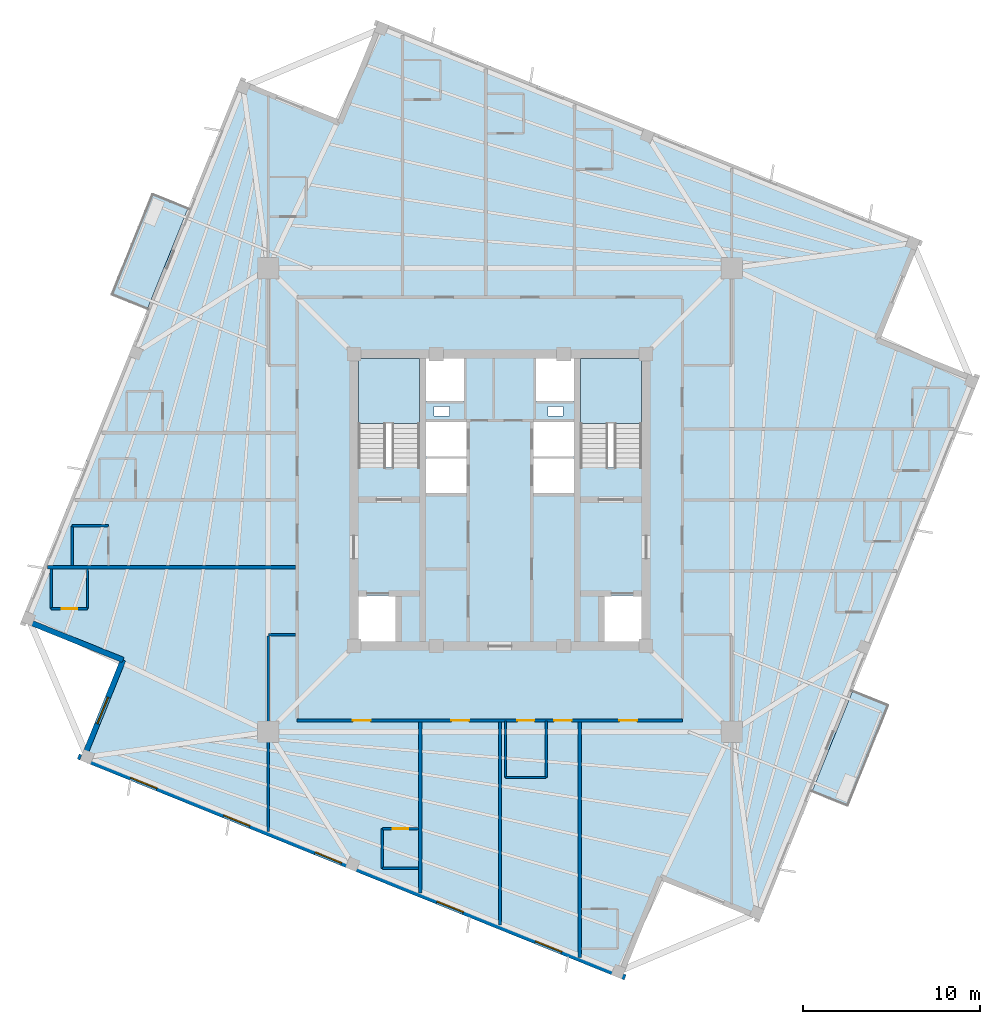
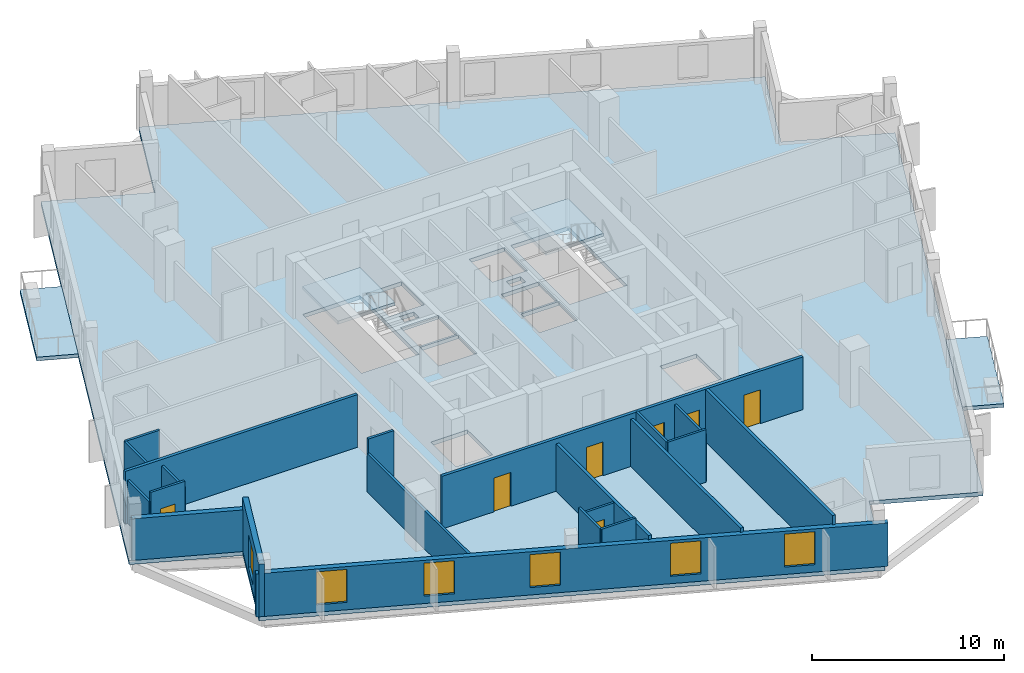
# One storey, part 2 of 9: 21 walls, 7 doors, 6 windows, 5 slabs, 13 openings, 2 elements without a shape of their own.
"""IFC4 building model written with IfcOpenShell, lengths in metres."""

from ifc_helpers import new_model, si_unit, direction, frame, frame_2d, origin, place, context, subcontext, project, spatial, polyline, rectangle, outline, extrude, source, transform, mapped, material, layer, layer_set, type_object, element, fill, aggregate, save


model = new_model("IFC4")

# Units and contexts
model_context = context("Model", 3, precision=1e-05, world=origin(), true_north=direction((0.0, 1.0)))
body_context = subcontext(model_context, "Body", "Model", "MODEL_VIEW")
ifc_project = project(units=[si_unit("LENGTHUNIT", "METRE"), si_unit("AREAUNIT", "SQUARE_METRE"), si_unit("VOLUMEUNIT", "CUBIC_METRE"), si_unit("PLANEANGLEUNIT", "RADIAN"), si_unit("MASSUNIT", "GRAM", prefix="KILO"), si_unit("THERMODYNAMICTEMPERATUREUNIT", "KELVIN")], contexts=[model_context])

# Site, building, storey
site_placement = place(None, origin())
site = spatial("IfcSite", under=ifc_project, at=site_placement, CompositionType="ELEMENT")
building_placement = place(site_placement, origin())
building = spatial("IfcBuilding", under=site, at=building_placement, Name="Kosmvard Interchange Tower", CompositionType="ELEMENT")
storey_placement = place(building_placement, frame((0.0, 0.0, 283.199951171875)))
storey = spatial("IfcBuildingStorey", under=building, at=storey_placement, Name="L69", CompositionType="ELEMENT", Elevation=283.199951171875)

# Slab
ifc_material_1 = material(Name="Concrete C50/60", Category="concrete")
ifc_layer_1 = layer(ifc_material_1, 0.25, Name="Concrete C50/60")
ifc_layer_set_1 = layer_set([ifc_layer_1], Name="Concrete C50/60")
slab_type_1 = type_object("IfcSlabType", Name="Hotel Acoustic Floor Slab 250 C50/60", PredefinedType="FLOOR", material=ifc_layer_set_1)
slab_1_placement = place(storey_placement, frame((0.0, 0.0, -0.25)))
element("IfcSlab", 1, at=slab_1_placement, inside=storey, type_object=slab_type_1, Name="L69 Structural Floor Slab", PredefinedType="FLOOR", context=body_context, shape_type="SweptSolid", body=[
    extrude(outline(polyline([(14.6806640625, -23.727294921875), (27.042724609375, 6.869873046875), (21.4794921875, 9.117431640625), (23.727294921875, 14.6806640625), (-6.869873046875, 27.042724609375), (-9.117431640625, 21.4794921875), (-14.6806640625, 23.727294921875), (-27.042724609375, -6.869873046875), (-21.4794921875, -9.117431640625), (-23.727294921875, -14.6806640625), (6.869873046875, -27.042724609375), (9.117431640625, -21.4794921875), (14.6806640625, -23.727294921875)]), holes=[polyline([(-8.0, 1.8349609375), (-4.5400390625, 1.8349609375), (-4.5400390625, 8.0), (-8.0, 8.0), (-8.0, 1.8349609375)]), polyline([(4.5400390625, 1.8349609375), (8.0, 1.8349609375), (8.0, 8.0), (4.5400390625, 8.0), (4.5400390625, 1.8349609375)]), polyline([(-8.0, -8.0), (-5.800048828125, -8.0), (-5.800048828125, -5.39990234375), (-8.0, -5.39990234375), (-8.0, -8.0)]), polyline([(5.800048828125, -8.0), (8.0, -8.0), (8.0, -5.39990234375), (5.800048828125, -5.39990234375), (5.800048828125, -8.0)]), polyline([(-4.179931640625, 0.39990234375), (-1.8798828125, 0.39990234375), (-1.8798828125, 2.340087890625), (-4.179931640625, 2.340087890625), (-4.179931640625, 0.39990234375)]), polyline([(-4.179931640625, 2.4599609375), (-1.8798828125, 2.4599609375), (-1.8798828125, 4.39990234375), (-4.179931640625, 4.39990234375), (-4.179931640625, 2.4599609375)]), polyline([(1.8798828125, 0.39990234375), (4.179931640625, 0.39990234375), (4.179931640625, 2.340087890625), (1.8798828125, 2.340087890625), (1.8798828125, 0.39990234375)]), polyline([(1.8798828125, 2.4599609375), (4.179931640625, 2.4599609375), (4.179931640625, 4.39990234375), (1.8798828125, 4.39990234375), (1.8798828125, 2.4599609375)]), polyline([(-4.179931640625, 5.60009765625), (-2.0400390625, 5.60009765625), (-2.0400390625, 8.0), (-4.179931640625, 8.0), (-4.179931640625, 5.60009765625)]), polyline([(2.0400390625, 5.60009765625), (4.179931640625, 5.60009765625), (4.179931640625, 8.0), (2.0400390625, 8.0), (2.0400390625, 5.60009765625)]), polyline([(-3.715087890625, 4.739990234375), (-2.864990234375, 4.739990234375), (-2.864990234375, 5.2900390625), (-3.715087890625, 5.2900390625), (-3.715087890625, 4.739990234375)]), polyline([(2.715087890625, 4.739990234375), (3.56494140625, 4.739990234375), (3.56494140625, 5.2900390625), (2.715087890625, 5.2900390625), (2.715087890625, 4.739990234375)])]), origin(), (0.0, 0.0, 1.0), 0.25),
])

# Stair, slab
stair_type = type_object("IfcStairType", Name="Dog-Leg Core Exit Stair H3600 C50/60", PredefinedType="HALF_TURN_STAIR", material=ifc_material_1)
stair_1_placement = place(storey_placement, origin())
stair_1 = element("IfcStair", 2, at=stair_1_placement, inside=storey, type_object=stair_type, Name="L69 Protected Exit Stair ST-1", PredefinedType="HALF_TURN_STAIR")
ifc_layer_2 = layer(ifc_material_1, 0.199951171875, Name="Concrete C50/60")
ifc_layer_set_2 = layer_set([ifc_layer_2], Name="Concrete C50/60")
slab_type_2 = type_object("IfcSlabType", Name="Stair Half-Landing Slab 200 C50/60", PredefinedType="LANDING", material=ifc_layer_set_2)
slab_2_placement = place(storey_placement, frame((0.0, 0.0, 1.60009765625)))
slab_2 = element("IfcSlab", 3, at=slab_2_placement, type_object=slab_type_2, Name="ST-1 landing 1", PredefinedType="LANDING", context=body_context, shape_type="SweptSolid", body=[
    extrude(outline(polyline([(-4.5400390625, 4.320068359375), (-4.5400390625, 8.0), (-8.0, 8.0), (-8.0, 4.320068359375), (-4.5400390625, 4.320068359375)])), origin(), (0.0, 0.0, 1.0), 0.199951171875),
])
aggregate(stair_1, [slab_2])

stair_2_placement = place(storey_placement, origin())
stair_2 = element("IfcStair", 4, at=stair_2_placement, inside=storey, type_object=stair_type, Name="L69 Protected Exit Stair ST-2", PredefinedType="HALF_TURN_STAIR")
slab_3_placement = place(storey_placement, frame((0.0, 0.0, 1.60009765625)))
slab_3 = element("IfcSlab", 5, at=slab_3_placement, type_object=slab_type_2, Name="ST-2 landing 1", PredefinedType="LANDING", context=body_context, shape_type="SweptSolid", body=[
    extrude(outline(polyline([(8.0, 4.320068359375), (8.0, 8.0), (4.5400390625, 8.0), (4.5400390625, 4.320068359375), (8.0, 4.320068359375)])), origin(), (0.0, 0.0, 1.0), 0.199951171875),
])
aggregate(stair_2, [slab_3])

# Slabs
ifc_layer_3 = layer(ifc_material_1, 0.22998046875, Name="Concrete C50/60")
ifc_layer_set_3 = layer_set([ifc_layer_3], Name="Concrete C50/60")
slab_type_3 = type_object("IfcSlabType", Name="Tree-Planter Cantilever Balcony Slab 230 C50/60", PredefinedType="FLOOR", material=ifc_layer_set_3)
slab_4_placement = place(storey_placement, frame((0.0, 0.0, -0.22998046875)))
element("IfcSlab", 6, at=slab_4_placement, inside=storey, type_object=slab_type_3, Name="L69 Outdoor Terrace Balcony Slab BAL-L69-N", PredefinedType="FLOOR", context=body_context, shape_type="SweptSolid", body=[
    extrude(outline(polyline([(-19.925048828125, 10.74658203125), (-17.6025390625, 16.4951171875), (-19.642333984375, 17.3193359375), (-21.96484375, 11.57080078125), (-19.925048828125, 10.74658203125)])), origin(), (0.0, 0.0, 1.0), 0.22998046875),
])
slab_5_placement = place(storey_placement, frame((0.0, 0.0, -0.22998046875)))
element("IfcSlab", 7, at=slab_5_placement, inside=storey, type_object=slab_type_3, Name="L69 Outdoor Terrace Balcony Slab BAL-L69-S", PredefinedType="FLOOR", context=body_context, shape_type="SweptSolid", body=[
    extrude(outline(polyline([(19.642333984375, -17.3193359375), (21.96484375, -11.57080078125), (19.925048828125, -10.74658203125), (17.6025390625, -16.4951171875), (19.642333984375, -17.3193359375)])), origin(), (0.0, 0.0, 1.0), 0.22998046875),
])

# Walls
ifc_material_2 = material(Name="Acoustic gypsum partition system")
ifc_layer_4 = layer(ifc_material_2, 0.14990234375, Name="Acoustic gypsum partition system")
ifc_layer_set_4 = layer_set([ifc_layer_4], Name="Acoustic gypsum partition system")
wall_type_1 = type_object("IfcWallType", Name="Acoustic Suite & Meeting Partition 150", PredefinedType="PARTITIONING", material=ifc_layer_set_4)
wall_1_placement = place(storey_placement, frame((-11.544921875, -7.60009765625, 0.0), z_axis=(0.0, 0.0, 1.0), x_axis=(-1.0, 0.0, 0.0)))
element("IfcWall", 8, at=wall_1_placement, inside=storey, type_object=wall_type_1, Name="L69 Room Partition 19.1", PredefinedType="PARTITIONING", context=body_context, shape_type="SweptSolid", body=[
    extrude(rectangle(XDim=1.5361328125, YDim=0.14990234375, at=frame_2d((0.76806640625, 0.0))), origin(), (0.0, 0.0, 1.0), 3.35009765625),
])
wall_2_placement = place(storey_placement, frame((-13.0810546875, -7.675048828125, 0.0), z_axis=(0.0, 0.0, 1.0), x_axis=(0.0, -1.0, 0.0)))
element("IfcWall", 9, at=wall_2_placement, inside=storey, type_object=wall_type_1, Name="L69 Room Partition 20.1", PredefinedType="PARTITIONING", context=body_context, shape_type="SweptSolid", body=[
    extrude(rectangle(XDim=11.042724609375, YDim=0.14990234375, at=frame_2d((5.521484375, 0.0))), origin(), (0.0, 0.0, 1.0), 2.449951171875),
])

# Wall, openings, doors
ifc_material_3 = material(Name="Fire-rated gypsum partition system")
ifc_layer_5 = layer(ifc_material_3, 0.179931640625, Name="Fire-rated gypsum partition system")
ifc_layer_set_5 = layer_set([ifc_layer_5], Name="Fire-rated gypsum partition system")
wall_type_2 = type_object("IfcWallType", Name="Corridor & Hotel Compartment Partition 180", PredefinedType="PARTITIONING", material=ifc_layer_set_5)
wall_3_placement = place(storey_placement, frame((-11.449951171875, -12.449951171875, 0.0), z_axis=(0.0, 0.0, 1.0), x_axis=(1.0, 0.0, 0.0)))
wall_3 = element("IfcWall", 10, at=wall_3_placement, inside=storey, type_object=wall_type_2, Name="L69 Corridor Wall CS", PredefinedType="PARTITIONING", context=body_context, shape_type="SweptSolid", body=[
    extrude(rectangle(XDim=21.75, YDim=0.179931640625, at=frame_2d((10.875, 0.0))), origin(), (0.0, 0.0, 1.0), 3.35009765625),
])
opening_1_placement = place(wall_3_placement, frame((12.43603515625, 0.0, 0.0)))
opening_1 = element("IfcOpeningElement", 11, at=opening_1_placement, cuts=wall_3, Name="Opening L69-D01", PredefinedType="OPENING", context=body_context, shape_type="SweptSolid", body=[
    extrude(rectangle(XDim=0.949951171875, YDim=2.10009765625, at=frame_2d((0.47509765625, 1.050048828125))), frame((0.0, 0.10009765625, 0.0), z_axis=(0.0, -1.0, 0.0), x_axis=(1.0, 0.0, 0.0)), (0.0, 0.0, 1.0), 0.199951171875),
])
opening_2_placement = place(wall_3_placement, frame((18.185546875, 0.0, 0.0)))
opening_2 = element("IfcOpeningElement", 12, at=opening_2_placement, cuts=wall_3, Name="Opening L69-D22", PredefinedType="OPENING", context=body_context, shape_type="SweptSolid", body=[
    extrude(rectangle(XDim=1.0, YDim=2.14990234375, at=frame_2d((0.5, 1.074951171875))), frame((0.0, 0.10009765625, 0.0), z_axis=(0.0, -1.0, 0.0), x_axis=(1.0, 0.0, 0.0)), (0.0, 0.0, 1.0), 0.199951171875),
])
opening_3_placement = place(wall_3_placement, frame((14.49951171875, 0.0, 0.0)))
opening_3 = element("IfcOpeningElement", 13, at=opening_3_placement, cuts=wall_3, Name="Opening L69-D24", PredefinedType="OPENING", context=body_context, shape_type="SweptSolid", body=[
    extrude(rectangle(XDim=1.0, YDim=2.14990234375, at=frame_2d((0.5, 1.074951171875))), frame((0.0, 0.10009765625, 0.0), z_axis=(0.0, -1.0, 0.0), x_axis=(1.0, 0.0, 0.0)), (0.0, 0.0, 1.0), 0.199951171875),
])
opening_4_placement = place(wall_3_placement, frame((8.699951171875, 0.0, 0.0)))
opening_4 = element("IfcOpeningElement", 14, at=opening_4_placement, cuts=wall_3, Name="Opening L69-D25", PredefinedType="OPENING", context=body_context, shape_type="SweptSolid", body=[
    extrude(rectangle(XDim=1.0, YDim=2.14990234375, at=frame_2d((0.5, 1.074951171875))), frame((0.0, 0.10009765625, 0.0), z_axis=(0.0, -1.0, 0.0), x_axis=(1.0, 0.0, 0.0)), (0.0, 0.0, 1.0), 0.199951171875),
])
opening_5_placement = place(wall_3_placement, frame((3.139404296875, 0.0, 0.0)))
opening_5 = element("IfcOpeningElement", 15, at=opening_5_placement, cuts=wall_3, Name="Opening L69-D26", PredefinedType="OPENING", context=body_context, shape_type="SweptSolid", body=[
    extrude(rectangle(XDim=1.0, YDim=2.14990234375, at=frame_2d((0.5, 1.074951171875))), frame((0.0, 0.10009765625, 0.0), z_axis=(0.0, -1.0, 0.0), x_axis=(1.0, 0.0, 0.0)), (0.0, 0.0, 1.0), 0.199951171875),
])
ifc_material_4 = material(Name="Laminated moisture-resistant timber", Category="wood")
door_type_1 = type_object("IfcDoorType", Name="Accessible Washroom Door 950x2100", OperationType="NOTDEFINED", PredefinedType="DOOR", material=ifc_material_4)
shared_shape_1 = source(origin(), body_context, "Body", "SweptSolid", [
    extrude(rectangle(XDim=0.949951171875, YDim=2.10009765625, at=frame_2d((0.47509765625, 1.050048828125))), frame((0.0, 0.02490234375, 0.0), z_axis=(0.0, -1.0, 0.0), x_axis=(1.0, 0.0, 0.0)), (0.0, 0.0, 1.0), 0.050048828125),
])
door_1_placement = place(opening_1_placement, frame((0.949951171875, 0.0, 0.0), z_axis=(0.0, 0.0, 1.0), x_axis=(-1.0, 0.0, 0.0)))
door_1 = element("IfcDoor", 16, at=door_1_placement, inside=storey, type_object=door_type_1, Name="L69 Accessible Guest Toilet Door", OperationType="SINGLE_SWING_LEFT", OverallHeight=2.10009765625, OverallWidth=0.949951171875, PredefinedType="DOOR", context=body_context, shape_type="MappedRepresentation", body=[
    mapped(shared_shape_1, transform((0.0, 0.0, 0.0), scale=1.0)),
])
fill(opening_1, door_1)
ifc_material_5 = material(Name="Engineered oak fire-rated timber", Category="wood")
door_type_2 = type_object("IfcDoorType", Name="Hotel Guestroom Entrance Door 1000x2150 EI60", OperationType="NOTDEFINED", PredefinedType="DOOR", material=ifc_material_5)
shared_shape_2 = source(origin(), body_context, "Body", "SweptSolid", [
    extrude(rectangle(XDim=1.0, YDim=2.14990234375, at=frame_2d((0.5, 1.074951171875))), frame((0.0, 0.02490234375, 0.0), z_axis=(0.0, -1.0, 0.0), x_axis=(1.0, 0.0, 0.0)), (0.0, 0.0, 1.0), 0.050048828125),
])
door_2_placement = place(opening_2_placement, frame((1.0, 0.0, 0.0), z_axis=(0.0, 0.0, 1.0), x_axis=(-1.0, 0.0, 0.0)))
door_2 = element("IfcDoor", 17, at=door_2_placement, inside=storey, type_object=door_type_2, Name="L69 Hotel Corner Suite 3 Door", OperationType="SINGLE_SWING_RIGHT", OverallHeight=2.14990234375, OverallWidth=1.0, PredefinedType="DOOR", context=body_context, shape_type="MappedRepresentation", body=[
    mapped(shared_shape_2, transform((0.0, 0.0, 0.0), scale=1.0)),
])
fill(opening_2, door_2)
door_3_placement = place(opening_3_placement, frame((1.0, 0.0, 0.0), z_axis=(0.0, 0.0, 1.0), x_axis=(-1.0, 0.0, 0.0)))
door_3 = element("IfcDoor", 18, at=door_3_placement, inside=storey, type_object=door_type_2, Name="L69 Housekeeping and Linen Room Door", OperationType="SINGLE_SWING_RIGHT", OverallHeight=2.14990234375, OverallWidth=1.0, PredefinedType="DOOR", context=body_context, shape_type="MappedRepresentation", body=[
    mapped(shared_shape_2, transform((0.0, 0.0, 0.0), scale=1.0)),
])
fill(opening_3, door_3)
door_4_placement = place(opening_4_placement, frame((1.0, 0.0, 0.0), z_axis=(0.0, 0.0, 1.0), x_axis=(-1.0, 0.0, 0.0)))
door_4 = element("IfcDoor", 19, at=door_4_placement, inside=storey, type_object=door_type_2, Name="L69 Hotel Floor Pantry Door", OperationType="SINGLE_SWING_LEFT", OverallHeight=2.14990234375, OverallWidth=1.0, PredefinedType="DOOR", context=body_context, shape_type="MappedRepresentation", body=[
    mapped(shared_shape_2, transform((0.0, 0.0, 0.0), scale=1.0)),
])
fill(opening_4, door_4)
door_5_placement = place(opening_5_placement, frame((1.0, 0.0, 0.0), z_axis=(0.0, 0.0, 1.0), x_axis=(-1.0, 0.0, 0.0)))
door_5 = element("IfcDoor", 20, at=door_5_placement, inside=storey, type_object=door_type_2, Name="L69 Hotel Deluxe Guest Room 9 Door", OperationType="SINGLE_SWING_RIGHT", OverallHeight=2.14990234375, OverallWidth=1.0, PredefinedType="DOOR", context=body_context, shape_type="MappedRepresentation", body=[
    mapped(shared_shape_2, transform((0.0, 0.0, 0.0), scale=1.0)),
])
fill(opening_5, door_5)

# Walls
wall_4_placement = place(storey_placement, frame((4.5, -12.544921875, 0.0), z_axis=(0.0, 0.0, 1.0), x_axis=(0.0, -1.0, 0.0)))
element("IfcWall", 21, at=wall_4_placement, inside=storey, type_object=wall_type_2, Name="L69 Room Partition 07.1", PredefinedType="PARTITIONING", context=body_context, shape_type="SweptSolid", body=[
    extrude(rectangle(XDim=13.27587890625, YDim=0.179931640625, at=frame_2d((6.637939453125, 0.0))), origin(), (0.0, 0.0, 1.0), 3.35009765625),
])
wall_5_placement = place(storey_placement, frame((0.0, -12.544921875, 0.0), z_axis=(0.0, 0.0, 1.0), x_axis=(0.0, -1.0, 0.0)))
element("IfcWall", 22, at=wall_5_placement, inside=storey, type_object=wall_type_2, Name="L69 Room Partition 08.1", PredefinedType="PARTITIONING", context=body_context, shape_type="SweptSolid", body=[
    extrude(rectangle(XDim=11.457763671875, YDim=0.179931640625, at=frame_2d((5.72900390625, 0.0))), origin(), (0.0, 0.0, 1.0), 3.02001953125),
])
wall_6_placement = place(storey_placement, frame((-4.5, -12.544921875, 0.0), z_axis=(0.0, 0.0, 1.0), x_axis=(0.0, -1.0, 0.0)))
element("IfcWall", 23, at=wall_6_placement, inside=storey, type_object=wall_type_2, Name="L69 Room Partition 09.1", PredefinedType="PARTITIONING", context=body_context, shape_type="SweptSolid", body=[
    extrude(rectangle(XDim=9.6396484375, YDim=0.179931640625, at=frame_2d((4.81982421875, 0.0))), origin(), (0.0, 0.0, 1.0), 3.02001953125),
])
wall_7_placement = place(storey_placement, frame((-11.544921875, -3.800048828125, 0.0), z_axis=(0.0, 0.0, 1.0), x_axis=(-1.0, 0.0, 0.0)))
element("IfcWall", 24, at=wall_7_placement, inside=storey, type_object=wall_type_2, Name="L69 Room Partition 10.1", PredefinedType="PARTITIONING", context=body_context, shape_type="SweptSolid", body=[
    extrude(rectangle(XDim=13.9931640625, YDim=0.179931640625, at=frame_2d((6.99658203125, 0.0))), origin(), (0.0, 0.0, 1.0), 3.35009765625),
])
ifc_material_6 = material(Name="Precast concrete C45/55", Category="concrete")
ifc_layer_6 = layer(ifc_material_6, 0.31005859375, Name="Precast concrete C45/55")
ifc_layer_set_6 = layer_set([ifc_layer_6], Name="Precast concrete C45/55")
wall_type_3 = type_object("IfcWallType", Name="Upper Tower Precast Pier Wall 310 C45/55", PredefinedType="STANDARD", material=ifc_layer_set_6)
wall_8_placement = place(storey_placement, frame((-26.8408203125, -6.7841796875, 0.0), z_axis=(0.0, 0.0, 1.0), x_axis=(0.927171722085, -0.374636620962, 0.0)))
element("IfcWall", 25, at=wall_8_placement, inside=storey, type_object=wall_type_3, Name="L69 Precast Facade Wall N-NW1", PredefinedType="STANDARD", context=body_context, shape_type="SweptSolid", body=[
    extrude(rectangle(XDim=6.0, YDim=0.31005859375, at=frame_2d((3.0, 0.0))), origin(), (0.0, 0.0, 1.0), 2.650146484375),
])

# Wall, opening, window
wall_9_placement = place(storey_placement, frame((-21.27783203125, -9.031982421875, 0.0), z_axis=(0.0, 0.0, 1.0), x_axis=(-0.374602739196, -0.927185411764, 0.0)))
wall_9 = element("IfcWall", 26, at=wall_9_placement, inside=storey, type_object=wall_type_3, Name="L69 Precast Facade Wall N-NW2", PredefinedType="STANDARD", context=body_context, shape_type="SweptSolid", body=[
    extrude(rectangle(XDim=6.155029296875, YDim=0.31005859375, at=frame_2d((3.07763671875, 0.0))), origin(), (0.0, 0.0, 1.0), 3.35009765625),
])
opening_6_placement = place(wall_9_placement, frame((2.277587890625, 0.0, 0.469970703125)))
opening_6 = element("IfcOpeningElement", 27, at=opening_6_placement, cuts=wall_9, Name="Opening L69-W23", PredefinedType="OPENING", context=body_context, shape_type="SweptSolid", body=[
    extrude(rectangle(XDim=1.60009765625, YDim=2.10009765625, at=frame_2d((0.800048828125, 1.050048828125))), frame((0.0, 0.1650390625, 0.0), z_axis=(0.0, -1.0, 0.0), x_axis=(1.0, 0.0, 0.0)), (0.0, 0.0, 1.0), 0.330078125),
])
ifc_material_7 = material(Name="Low-E acoustic double glazing", Category="glass")
window_type = type_object("IfcWindowType", Name="Zone 5 Hotel Punched Window 1600x2100", PartitioningType="SINGLE_PANEL", PredefinedType="WINDOW", material=ifc_material_7)
shared_shape_3 = source(origin(), body_context, "Body", "SweptSolid", [
    extrude(rectangle(XDim=1.60009765625, YDim=2.10009765625, at=frame_2d((0.800048828125, 1.050048828125))), frame((0.0, 0.030029296875, 0.0), z_axis=(0.0, -1.0, 0.0), x_axis=(1.0, 0.0, 0.0)), (0.0, 0.0, 1.0), 0.06005859375),
])
window_1_placement = place(opening_6_placement, origin())
window_1 = element("IfcWindow", 28, at=window_1_placement, inside=storey, type_object=window_type, Name="L69 Corner Notch Window 23", OverallHeight=2.10009765625, OverallWidth=1.60009765625, PartitioningType="SINGLE_PANEL", PredefinedType="WINDOW", context=body_context, shape_type="MappedRepresentation", body=[
    mapped(shared_shape_3, transform((0.0, 0.0, 0.0), scale=1.0)),
])
fill(opening_6, window_1)

# Wall, openings, windows
wall_10_placement = place(storey_placement, frame((-23.812744140625, -14.478759765625, 0.0), z_axis=(0.0, 0.0, 1.0), x_axis=(0.927182657188, -0.374609557019, 0.0)))
wall_10 = element("IfcWall", 29, at=wall_10_placement, inside=storey, type_object=wall_type_3, Name="L69 Precast Facade Wall F-W", PredefinedType="STANDARD", context=body_context, shape_type="SweptSolid", body=[
    extrude(rectangle(XDim=33.31005859375, YDim=0.31005859375, at=frame_2d((16.655029296875, 0.0))), origin(), (0.0, 0.0, 1.0), 2.75),
])
opening_7_placement = place(wall_10_placement, frame((3.197265625, 0.0, 0.469970703125)))
opening_7 = element("IfcOpeningElement", 30, at=opening_7_placement, cuts=wall_10, Name="Opening L69-W16", PredefinedType="OPENING", context=body_context, shape_type="SweptSolid", body=[
    extrude(rectangle(XDim=1.60009765625, YDim=2.10009765625, at=frame_2d((0.800048828125, 1.050048828125))), frame((0.0, 0.1650390625, 0.0), z_axis=(0.0, -1.0, 0.0), x_axis=(1.0, 0.0, 0.0)), (0.0, 0.0, 1.0), 0.330078125),
])
opening_8_placement = place(wall_10_placement, frame((8.85986328125, 0.0, 0.469970703125)))
opening_8 = element("IfcOpeningElement", 31, at=opening_8_placement, cuts=wall_10, Name="Opening L69-W17", PredefinedType="OPENING", context=body_context, shape_type="SweptSolid", body=[
    extrude(rectangle(XDim=1.60009765625, YDim=2.10009765625, at=frame_2d((0.800048828125, 1.050048828125))), frame((0.0, 0.1650390625, 0.0), z_axis=(0.0, -1.0, 0.0), x_axis=(1.0, 0.0, 0.0)), (0.0, 0.0, 1.0), 0.330078125),
])
opening_9_placement = place(wall_10_placement, frame((14.438720703125, 0.0, 0.469970703125)))
opening_9 = element("IfcOpeningElement", 32, at=opening_9_placement, cuts=wall_10, Name="Opening L69-W18", PredefinedType="OPENING", context=body_context, shape_type="SweptSolid", body=[
    extrude(rectangle(XDim=1.60009765625, YDim=2.10009765625, at=frame_2d((0.800048828125, 1.050048828125))), frame((0.0, 0.1650390625, 0.0), z_axis=(0.0, -1.0, 0.0), x_axis=(1.0, 0.0, 0.0)), (0.0, 0.0, 1.0), 0.330078125),
])
opening_10_placement = place(wall_10_placement, frame((21.850830078125, 0.0, 0.469970703125)))
opening_10 = element("IfcOpeningElement", 33, at=opening_10_placement, cuts=wall_10, Name="Opening L69-W19", PredefinedType="OPENING", context=body_context, shape_type="SweptSolid", body=[
    extrude(rectangle(XDim=1.60009765625, YDim=2.10009765625, at=frame_2d((0.800048828125, 1.050048828125))), frame((0.0, 0.1650390625, 0.0), z_axis=(0.0, -1.0, 0.0), x_axis=(1.0, 0.0, 0.0)), (0.0, 0.0, 1.0), 0.330078125),
])
opening_11_placement = place(wall_10_placement, frame((27.8466796875, 0.0, 0.469970703125)))
opening_11 = element("IfcOpeningElement", 34, at=opening_11_placement, cuts=wall_10, Name="Opening L69-W20", PredefinedType="OPENING", context=body_context, shape_type="SweptSolid", body=[
    extrude(rectangle(XDim=1.60009765625, YDim=2.10009765625, at=frame_2d((0.800048828125, 1.050048828125))), frame((0.0, 0.1650390625, 0.0), z_axis=(0.0, -1.0, 0.0), x_axis=(1.0, 0.0, 0.0)), (0.0, 0.0, 1.0), 0.330078125),
])
window_2_placement = place(opening_7_placement, origin())
window_2 = element("IfcWindow", 35, at=window_2_placement, inside=storey, type_object=window_type, Name="L69 Facade Punched Window 16", OverallHeight=2.10009765625, OverallWidth=1.60009765625, PartitioningType="SINGLE_PANEL", PredefinedType="WINDOW", context=body_context, shape_type="MappedRepresentation", body=[
    mapped(shared_shape_3, transform((0.0, 0.0, 0.0), scale=1.0)),
])
fill(opening_7, window_2)
window_3_placement = place(opening_8_placement, origin())
window_3 = element("IfcWindow", 36, at=window_3_placement, inside=storey, type_object=window_type, Name="L69 Facade Punched Window 17", OverallHeight=2.10009765625, OverallWidth=1.60009765625, PartitioningType="SINGLE_PANEL", PredefinedType="WINDOW", context=body_context, shape_type="MappedRepresentation", body=[
    mapped(shared_shape_3, transform((0.0, 0.0, 0.0), scale=1.0)),
])
fill(opening_8, window_3)
window_4_placement = place(opening_9_placement, origin())
window_4 = element("IfcWindow", 37, at=window_4_placement, inside=storey, type_object=window_type, Name="L69 Facade Punched Window 18", OverallHeight=2.10009765625, OverallWidth=1.60009765625, PartitioningType="SINGLE_PANEL", PredefinedType="WINDOW", context=body_context, shape_type="MappedRepresentation", body=[
    mapped(shared_shape_3, transform((0.0, 0.0, 0.0), scale=1.0)),
])
fill(opening_9, window_4)
window_5_placement = place(opening_10_placement, origin())
window_5 = element("IfcWindow", 38, at=window_5_placement, inside=storey, type_object=window_type, Name="L69 Facade Punched Window 19", OverallHeight=2.10009765625, OverallWidth=1.60009765625, PartitioningType="SINGLE_PANEL", PredefinedType="WINDOW", context=body_context, shape_type="MappedRepresentation", body=[
    mapped(shared_shape_3, transform((0.0, 0.0, 0.0), scale=1.0)),
])
fill(opening_10, window_5)
window_6_placement = place(opening_11_placement, origin())
window_6 = element("IfcWindow", 39, at=window_6_placement, inside=storey, type_object=window_type, Name="L69 Facade Punched Window 20", OverallHeight=2.10009765625, OverallWidth=1.60009765625, PartitioningType="SINGLE_PANEL", PredefinedType="WINDOW", context=body_context, shape_type="MappedRepresentation", body=[
    mapped(shared_shape_3, transform((0.0, 0.0, 0.0), scale=1.0)),
])
fill(opening_11, window_6)

# Walls
ifc_material_8 = material(Name="Moisture-resistant gypsum partition")
ifc_layer_7 = layer(ifc_material_8, 0.135009765625, Name="Moisture-resistant gypsum partition")
ifc_layer_set_7 = layer_set([ifc_layer_7], Name="Moisture-resistant gypsum partition")
wall_type_4 = type_object("IfcWallType", Name="Wet Room Moisture-Resistant Partition 135", PredefinedType="PARTITIONING", material=ifc_layer_set_7)
wall_11_placement = place(storey_placement, frame((0.31103515625, -15.669921875, 0.0), z_axis=(0.0, 0.0, 1.0), x_axis=(1.0, 0.0, 0.0)))
element("IfcWall", 40, at=wall_11_placement, inside=storey, type_object=wall_type_4, Name="L69 Washroom Partition HAWC-S", PredefinedType="PARTITIONING", context=body_context, shape_type="SweptSolid", body=[
    extrude(rectangle(XDim=2.300048828125, YDim=0.135009765625, at=frame_2d((1.14990234375, 0.0))), origin(), (0.0, 0.0, 1.0), 3.35009765625),
])
wall_12_placement = place(storey_placement, frame((2.611083984375, -15.669921875, 0.0), z_axis=(0.0, 0.0, 1.0), x_axis=(0.0, 1.0, 0.0)))
element("IfcWall", 41, at=wall_12_placement, inside=storey, type_object=wall_type_4, Name="L69 Washroom Partition HAWC-E", PredefinedType="PARTITIONING", context=body_context, shape_type="SweptSolid", body=[
    extrude(rectangle(XDim=3.199951171875, YDim=0.135009765625, at=frame_2d((1.60009765625, 0.0))), origin(), (0.0, 0.0, 1.0), 3.02001953125),
])
wall_13_placement = place(storey_placement, frame((0.31103515625, -15.669921875, 0.0), z_axis=(0.0, 0.0, 1.0), x_axis=(0.0, 1.0, 0.0)))
element("IfcWall", 42, at=wall_13_placement, inside=storey, type_object=wall_type_4, Name="L69 Washroom Partition HAWC-W", PredefinedType="PARTITIONING", context=body_context, shape_type="SweptSolid", body=[
    extrude(rectangle(XDim=3.199951171875, YDim=0.135009765625, at=frame_2d((1.60009765625, 0.0))), origin(), (0.0, 0.0, 1.0), 3.35009765625),
])
wall_14_placement = place(storey_placement, frame((-6.639892578125, -20.80126953125, 0.0), z_axis=(0.0, 0.0, 1.0), x_axis=(1.0, 0.0, 0.0)))
element("IfcWall", 43, at=wall_14_placement, inside=storey, type_object=wall_type_4, Name="L69 En-Suite Partition HGR9-S", PredefinedType="PARTITIONING", context=body_context, shape_type="SweptSolid", body=[
    extrude(rectangle(XDim=2.0498046875, YDim=0.135009765625, at=frame_2d((1.02490234375, 0.0))), origin(), (0.0, 0.0, 1.0), 3.35009765625),
])

# Wall, opening, door
wall_15_placement = place(storey_placement, frame((-6.639892578125, -18.55126953125, 0.0), z_axis=(0.0, 0.0, 1.0), x_axis=(1.0, 0.0, 0.0)))
wall_15 = element("IfcWall", 44, at=wall_15_placement, inside=storey, type_object=wall_type_4, Name="L69 En-Suite Partition HGR9-N", PredefinedType="PARTITIONING", context=body_context, shape_type="SweptSolid", body=[
    extrude(rectangle(XDim=2.0498046875, YDim=0.135009765625, at=frame_2d((1.02490234375, 0.0))), origin(), (0.0, 0.0, 1.0), 2.949951171875),
])
opening_12_placement = place(wall_15_placement, frame((0.5849609375, 0.0, 0.0)))
opening_12 = element("IfcOpeningElement", 45, at=opening_12_placement, cuts=wall_15, Name="Opening L69-ED27", PredefinedType="OPENING", context=body_context, shape_type="SweptSolid", body=[
    extrude(rectangle(XDim=0.8798828125, YDim=2.10009765625, at=frame_2d((0.43994140625, 1.050048828125))), frame((0.0, 0.07763671875, 0.0), z_axis=(0.0, -1.0, 0.0), x_axis=(1.0, 0.0, 0.0)), (0.0, 0.0, 1.0), 0.155029296875),
])
door_type_3 = type_object("IfcDoorType", Name="En-Suite & Washroom Door 880x2100", OperationType="NOTDEFINED", PredefinedType="DOOR", material=ifc_material_4)
shared_shape_4 = source(origin(), body_context, "Body", "SweptSolid", [
    extrude(rectangle(XDim=0.8798828125, YDim=2.10009765625, at=frame_2d((0.43994140625, 1.050048828125))), frame((0.0, 0.02490234375, 0.0), z_axis=(0.0, -1.0, 0.0), x_axis=(1.0, 0.0, 0.0)), (0.0, 0.0, 1.0), 0.050048828125),
])
door_6_placement = place(opening_12_placement, frame((0.8798828125, 0.0, 0.0), z_axis=(0.0, 0.0, 1.0), x_axis=(-1.0, 0.0, 0.0)))
door_6 = element("IfcDoor", 46, at=door_6_placement, inside=storey, type_object=door_type_3, Name="L69 HGR9 En-Suite Door", OperationType="SINGLE_SWING_RIGHT", OverallHeight=2.10009765625, OverallWidth=0.8798828125, PredefinedType="DOOR", context=body_context, shape_type="MappedRepresentation", body=[
    mapped(shared_shape_4, transform((0.0, 0.0, 0.0), scale=1.0)),
])
fill(opening_12, door_6)

# Wall
wall_16_placement = place(storey_placement, frame((-6.639892578125, -20.80126953125, 0.0), z_axis=(0.0, 0.0, 1.0), x_axis=(0.0, 1.0, 0.0)))
element("IfcWall", 47, at=wall_16_placement, inside=storey, type_object=wall_type_4, Name="L69 En-Suite Partition HGR9-W", PredefinedType="PARTITIONING", context=body_context, shape_type="SweptSolid", body=[
    extrude(rectangle(XDim=2.25, YDim=0.135009765625, at=frame_2d((1.125, 0.0))), origin(), (0.0, 0.0, 1.0), 3.35009765625),
])

# Wall, opening, door
wall_17_placement = place(storey_placement, frame((-25.341552734375, -6.139892578125, 0.0), z_axis=(0.0, 0.0, 1.0), x_axis=(1.0, 0.0, 0.0)))
wall_17 = element("IfcWall", 48, at=wall_17_placement, inside=storey, type_object=wall_type_4, Name="L69 En-Suite Partition HCS4-S", PredefinedType="PARTITIONING", context=body_context, shape_type="SweptSolid", body=[
    extrude(rectangle(XDim=2.050048828125, YDim=0.135009765625, at=frame_2d((1.02490234375, 0.0))), origin(), (0.0, 0.0, 1.0), 3.35009765625),
])
opening_13_placement = place(wall_17_placement, frame((0.5849609375, 0.0, 0.0)))
opening_13 = element("IfcOpeningElement", 49, at=opening_13_placement, cuts=wall_17, Name="Opening L69-ED29", PredefinedType="OPENING", context=body_context, shape_type="SweptSolid", body=[
    extrude(rectangle(XDim=0.8798828125, YDim=2.10009765625, at=frame_2d((0.43994140625, 1.050048828125))), frame((0.0, 0.07763671875, 0.0), z_axis=(0.0, -1.0, 0.0), x_axis=(1.0, 0.0, 0.0)), (0.0, 0.0, 1.0), 0.155029296875),
])
door_7_placement = place(opening_13_placement, origin())
door_7 = element("IfcDoor", 50, at=door_7_placement, inside=storey, type_object=door_type_3, Name="L69 HCS4 En-Suite Door", OperationType="SINGLE_SWING_RIGHT", OverallHeight=2.10009765625, OverallWidth=0.8798828125, PredefinedType="DOOR", context=body_context, shape_type="MappedRepresentation", body=[
    mapped(shared_shape_4, transform((0.0, 0.0, 0.0), scale=1.0)),
])
fill(opening_13, door_7)

# Walls
wall_18_placement = place(storey_placement, frame((-23.29150390625, -6.139892578125, 0.0), z_axis=(0.0, 0.0, 1.0), x_axis=(0.0, 1.0, 0.0)))
element("IfcWall", 51, at=wall_18_placement, inside=storey, type_object=wall_type_4, Name="L69 En-Suite Partition HCS4-E", PredefinedType="PARTITIONING", context=body_context, shape_type="SweptSolid", body=[
    extrude(rectangle(XDim=2.25, YDim=0.135009765625, at=frame_2d((1.125, 0.0))), origin(), (0.0, 0.0, 1.0), 2.949951171875),
])
wall_19_placement = place(storey_placement, frame((-25.341552734375, -6.139892578125, 0.0), z_axis=(0.0, 0.0, 1.0), x_axis=(0.0, 1.0, 0.0)))
element("IfcWall", 52, at=wall_19_placement, inside=storey, type_object=wall_type_4, Name="L69 En-Suite Partition HCS4-W", PredefinedType="PARTITIONING", context=body_context, shape_type="SweptSolid", body=[
    extrude(rectangle(XDim=2.25, YDim=0.135009765625, at=frame_2d((1.125, 0.0))), origin(), (0.0, 0.0, 1.0), 2.75),
])
wall_20_placement = place(storey_placement, frame((-24.15478515625, -1.4599609375, 0.0), z_axis=(0.0, 0.0, 1.0), x_axis=(1.0, 0.0, 0.0)))
element("IfcWall", 53, at=wall_20_placement, inside=storey, type_object=wall_type_4, Name="L69 En-Suite Partition HGR0-N", PredefinedType="PARTITIONING", context=body_context, shape_type="SweptSolid", body=[
    extrude(rectangle(XDim=2.050048828125, YDim=0.135009765625, at=frame_2d((1.02490234375, 0.0))), origin(), (0.0, 0.0, 1.0), 3.35009765625),
])
wall_21_placement = place(storey_placement, frame((-24.15478515625, -3.7099609375, 0.0), z_axis=(0.0, 0.0, 1.0), x_axis=(0.0, 1.0, 0.0)))
element("IfcWall", 54, at=wall_21_placement, inside=storey, type_object=wall_type_4, Name="L69 En-Suite Partition HGR0-W", PredefinedType="PARTITIONING", context=body_context, shape_type="SweptSolid", body=[
    extrude(rectangle(XDim=2.25, YDim=0.135009765625, at=frame_2d((1.125, 0.0))), origin(), (0.0, 0.0, 1.0), 3.35009765625),
])

save(model, "model.ifc")
